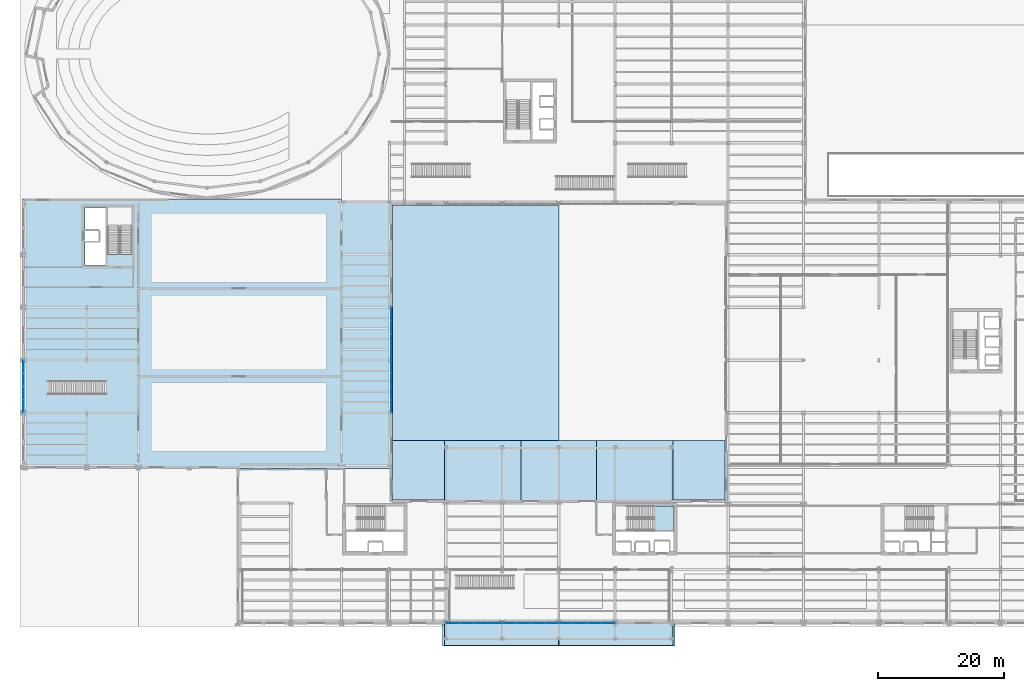
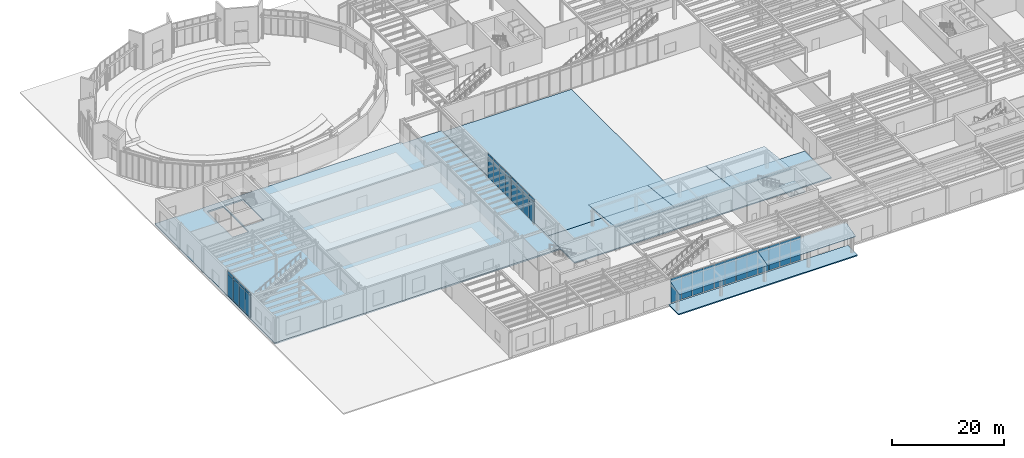
# One storey, part 62 of 94: 48 plates, 10 slabs, 13 elements without a shape of their own.
"""IFC4 building model written with IfcOpenShell, lengths in metres."""

from ifc_helpers import new_model, si_unit, direction, frame, origin, origin_2d, place, context, subcontext, project, spatial, polyline, rectangle, outline, extrude, material, layer, layer_set, type_object, element, aggregate, save


model = new_model("IFC4")

# Units and contexts
model_context = context("Model", 3, precision=1e-05, world=origin(), true_north=direction((0.0, 1.0)))
body_context = subcontext(model_context, "Body", "Model", "MODEL_VIEW")
ifc_project = project(units=[si_unit("LENGTHUNIT", "METRE"), si_unit("AREAUNIT", "SQUARE_METRE"), si_unit("VOLUMEUNIT", "CUBIC_METRE"), si_unit("PLANEANGLEUNIT", "RADIAN"), si_unit("MASSUNIT", "GRAM", prefix="KILO")], contexts=[model_context])

# Site, building, storey
site_placement = place(None, origin())
site = spatial("IfcSite", under=ifc_project, at=site_placement, CompositionType="ELEMENT")
building_placement = place(site_placement, origin())
building = spatial("IfcBuilding", under=site, at=building_placement, Name="Sollismere Congress Hotel", CompositionType="ELEMENT")
storey_placement = place(building_placement, origin())
storey = spatial("IfcBuildingStorey", under=building, at=storey_placement, Name="L00", CompositionType="ELEMENT", Elevation=0.0)

# Curtain wall, plates
ifc_material_1 = material(Name="Anodized Bronze Curtain Wall & Low-E Triple Glazing", Category="glass")
ifc_layer_1 = layer(ifc_material_1, 0.199951171875, Name="Anodized Bronze Curtain Wall & Low-E Triple Glazing")
ifc_layer_set_1 = layer_set([ifc_layer_1], Name="Anodized Bronze Curtain Wall & Low-E Triple Glazing")
curtain_wall_type = type_object("IfcCurtainWallType", Name="CW-GLZ36", PredefinedType="USERDEFINED", material=ifc_layer_set_1)
curtain_wall_1_placement = place(storey_placement, origin())
curtain_wall_1 = element("IfcCurtainWall", 1, at=curtain_wall_1_placement, inside=storey, type_object=curtain_wall_type, Name="Unitised curtain wall CW-L00-121", ObjectType="UNITISED CURTAIN WALL", PredefinedType="USERDEFINED")
ifc_material_2 = material(Name="Blue-Tinted Solar-Control Low-E Vision Glass", Category="glass")
ifc_layer_2 = layer(ifc_material_2, 0.035888671875, Name="Blue-Tinted Solar-Control Low-E Vision Glass")
ifc_layer_set_2 = layer_set([ifc_layer_2], Name="Blue-Tinted Solar-Control Low-E Vision Glass")
plate_type_1 = type_object("IfcPlateType", Name="PL-CWGLZ", PredefinedType="CURTAIN_PANEL", material=ifc_layer_set_2)
plate_1_placement = place(storey_placement, frame((-0.31005859375, 34.276611328125, 0.052978515625), z_axis=(0.0, 0.0, 1.0), x_axis=(0.0, 1.0, 0.0)))
plate_1 = element("IfcPlate", 2, at=plate_1_placement, type_object=plate_type_1, Name="CWL-CW-L00-121-VP01", PredefinedType="CURTAIN_PANEL", context=body_context, shape_type="SweptSolid", body=[
    extrude(rectangle(XDim=2.006103515625, YDim=0.035888671875, at=origin_2d()), origin(), (0.0, 0.0, 1.0), 4.60888671875),
])
plate_2_placement = place(storey_placement, frame((-0.31005859375, 36.33349609375, 0.052978515625), z_axis=(0.0, 0.0, 1.0), x_axis=(0.0, 1.0, 0.0)))
plate_2 = element("IfcPlate", 3, at=plate_2_placement, type_object=plate_type_1, Name="CWL-CW-L00-121-VP02", PredefinedType="CURTAIN_PANEL", context=body_context, shape_type="SweptSolid", body=[
    extrude(rectangle(XDim=2.006103515625, YDim=0.035888671875, at=origin_2d()), origin(), (0.0, 0.0, 1.0), 4.60888671875),
])

curtain_wall_2_placement = place(storey_placement, origin())
curtain_wall_2 = element("IfcCurtainWall", 4, at=curtain_wall_2_placement, inside=storey, type_object=curtain_wall_type, Name="Unitised curtain wall CW-L00-122", ObjectType="UNITISED CURTAIN WALL", PredefinedType="USERDEFINED")
plate_3_placement = place(storey_placement, frame((-0.31005859375, 38.466552734375, 0.052978515625), z_axis=(0.0, 0.0, 1.0), x_axis=(0.0, 1.0, 0.0)))
plate_3 = element("IfcPlate", 5, at=plate_3_placement, type_object=plate_type_1, Name="CWL-CW-L00-122-VP01", PredefinedType="CURTAIN_PANEL", context=body_context, shape_type="SweptSolid", body=[
    extrude(rectangle(XDim=2.006103515625, YDim=0.035888671875, at=origin_2d()), origin(), (0.0, 0.0, 1.0), 4.60888671875),
])
plate_4_placement = place(storey_placement, frame((-0.31005859375, 40.5234375, 0.052978515625), z_axis=(0.0, 0.0, 1.0), x_axis=(0.0, 1.0, 0.0)))
plate_4 = element("IfcPlate", 6, at=plate_4_placement, type_object=plate_type_1, Name="CWL-CW-L00-122-VP02", PredefinedType="CURTAIN_PANEL", context=body_context, shape_type="SweptSolid", body=[
    extrude(rectangle(XDim=2.006103515625, YDim=0.035888671875, at=origin_2d()), origin(), (0.0, 0.0, 1.0), 4.60888671875),
])

curtain_wall_3_placement = place(storey_placement, origin())
curtain_wall_3 = element("IfcCurtainWall", 7, at=curtain_wall_3_placement, inside=storey, type_object=curtain_wall_type, Name="Unitised curtain wall CW-L00-123", ObjectType="UNITISED CURTAIN WALL", PredefinedType="USERDEFINED")
plate_5_placement = place(storey_placement, frame((58.31005859375, 34.276611328125, 0.052978515625), z_axis=(0.0, 0.0, 1.0), x_axis=(0.0, 1.0, 0.0)))
plate_5 = element("IfcPlate", 8, at=plate_5_placement, type_object=plate_type_1, Name="CWL-CW-L00-123-VP01", PredefinedType="CURTAIN_PANEL", context=body_context, shape_type="SweptSolid", body=[
    extrude(rectangle(XDim=2.006103515625, YDim=0.035888671875, at=origin_2d()), origin(), (0.0, 0.0, 1.0), 4.60888671875),
])
plate_6_placement = place(storey_placement, frame((58.31005859375, 36.33349609375, 0.052978515625), z_axis=(0.0, 0.0, 1.0), x_axis=(0.0, 1.0, 0.0)))
plate_6 = element("IfcPlate", 9, at=plate_6_placement, type_object=plate_type_1, Name="CWL-CW-L00-123-VP02", PredefinedType="CURTAIN_PANEL", context=body_context, shape_type="SweptSolid", body=[
    extrude(rectangle(XDim=2.006103515625, YDim=0.035888671875, at=origin_2d()), origin(), (0.0, 0.0, 1.0), 4.60888671875),
])

curtain_wall_4_placement = place(storey_placement, origin())
curtain_wall_4 = element("IfcCurtainWall", 10, at=curtain_wall_4_placement, inside=storey, type_object=curtain_wall_type, Name="Unitised curtain wall CW-L00-124", ObjectType="UNITISED CURTAIN WALL", PredefinedType="USERDEFINED")
plate_7_placement = place(storey_placement, frame((58.31005859375, 38.466552734375, 0.052978515625), z_axis=(0.0, 0.0, 1.0), x_axis=(0.0, 1.0, 0.0)))
plate_7 = element("IfcPlate", 11, at=plate_7_placement, type_object=plate_type_1, Name="CWL-CW-L00-124-VP01", PredefinedType="CURTAIN_PANEL", context=body_context, shape_type="SweptSolid", body=[
    extrude(rectangle(XDim=2.006103515625, YDim=0.035888671875, at=origin_2d()), origin(), (0.0, 0.0, 1.0), 4.60888671875),
])
plate_8_placement = place(storey_placement, frame((58.31005859375, 40.5234375, 0.052978515625), z_axis=(0.0, 0.0, 1.0), x_axis=(0.0, 1.0, 0.0)))
plate_8 = element("IfcPlate", 12, at=plate_8_placement, type_object=plate_type_1, Name="CWL-CW-L00-124-VP02", PredefinedType="CURTAIN_PANEL", context=body_context, shape_type="SweptSolid", body=[
    extrude(rectangle(XDim=2.006103515625, YDim=0.035888671875, at=origin_2d()), origin(), (0.0, 0.0, 1.0), 4.60888671875),
])

curtain_wall_5_placement = place(storey_placement, origin())
curtain_wall_5 = element("IfcCurtainWall", 13, at=curtain_wall_5_placement, inside=storey, type_object=curtain_wall_type, Name="Unitised curtain wall CW-L00-125", ObjectType="UNITISED CURTAIN WALL", PredefinedType="USERDEFINED")
plate_9_placement = place(storey_placement, frame((58.31005859375, 42.676513671875, 0.052978515625), z_axis=(0.0, 0.0, 1.0), x_axis=(0.0, 1.0, 0.0)))
plate_9 = element("IfcPlate", 14, at=plate_9_placement, type_object=plate_type_1, Name="CWL-CW-L00-125-VP01", PredefinedType="CURTAIN_PANEL", context=body_context, shape_type="SweptSolid", body=[
    extrude(rectangle(XDim=2.006103515625, YDim=0.035888671875, at=origin_2d()), origin(), (0.0, 0.0, 1.0), 4.60888671875),
])
plate_10_placement = place(storey_placement, frame((58.31005859375, 44.7333984375, 0.052978515625), z_axis=(0.0, 0.0, 1.0), x_axis=(0.0, 1.0, 0.0)))
plate_10 = element("IfcPlate", 15, at=plate_10_placement, type_object=plate_type_1, Name="CWL-CW-L00-125-VP02", PredefinedType="CURTAIN_PANEL", context=body_context, shape_type="SweptSolid", body=[
    extrude(rectangle(XDim=2.006103515625, YDim=0.035888671875, at=origin_2d()), origin(), (0.0, 0.0, 1.0), 4.60888671875),
])

curtain_wall_6_placement = place(storey_placement, origin())
curtain_wall_6 = element("IfcCurtainWall", 16, at=curtain_wall_6_placement, inside=storey, type_object=curtain_wall_type, Name="Unitised curtain wall CW-L00-126", ObjectType="UNITISED CURTAIN WALL", PredefinedType="USERDEFINED")
plate_11_placement = place(storey_placement, frame((58.31005859375, 46.866455078125, 0.052978515625), z_axis=(0.0, 0.0, 1.0), x_axis=(0.0, 1.0, 0.0)))
plate_11 = element("IfcPlate", 17, at=plate_11_placement, type_object=plate_type_1, Name="CWL-CW-L00-126-VP01", PredefinedType="CURTAIN_PANEL", context=body_context, shape_type="SweptSolid", body=[
    extrude(rectangle(XDim=2.006103515625, YDim=0.035888671875, at=origin_2d()), origin(), (0.0, 0.0, 1.0), 4.60888671875),
])
plate_12_placement = place(storey_placement, frame((58.31005859375, 48.923583984375, 0.052978515625), z_axis=(0.0, 0.0, 1.0), x_axis=(0.0, 1.0, 0.0)))
plate_12 = element("IfcPlate", 18, at=plate_12_placement, type_object=plate_type_1, Name="CWL-CW-L00-126-VP02", PredefinedType="CURTAIN_PANEL", context=body_context, shape_type="SweptSolid", body=[
    extrude(rectangle(XDim=2.006103515625, YDim=0.035888671875, at=origin_2d()), origin(), (0.0, 0.0, 1.0), 4.60888671875),
])

curtain_wall_7_placement = place(storey_placement, origin())
curtain_wall_7 = element("IfcCurtainWall", 19, at=curtain_wall_7_placement, inside=storey, type_object=curtain_wall_type, Name="Unitised curtain wall CW-L00-147", ObjectType="UNITISED CURTAIN WALL", PredefinedType="USERDEFINED")
plate_13_placement = place(storey_placement, frame((68.12646484375, -0.31005859375, 0.052978515625), z_axis=(0.0, 0.0, 1.0), x_axis=(1.0, 0.0, 0.0)))
plate_13 = element("IfcPlate", 20, at=plate_13_placement, type_object=plate_type_1, Name="CWL-CW-L00-147-VP01", PredefinedType="CURTAIN_PANEL", context=body_context, shape_type="SweptSolid", body=[
    extrude(rectangle(XDim=2.166015625, YDim=0.035888671875, at=origin_2d()), origin(), (0.0, 0.0, 1.0), 4.60888671875),
])
plate_14_placement = place(storey_placement, frame((70.343505859375, -0.31005859375, 0.052978515625), z_axis=(0.0, 0.0, 1.0), x_axis=(1.0, 0.0, 0.0)))
plate_14 = element("IfcPlate", 21, at=plate_14_placement, type_object=plate_type_1, Name="CWL-CW-L00-147-VP02", PredefinedType="CURTAIN_PANEL", context=body_context, shape_type="SweptSolid", body=[
    extrude(rectangle(XDim=2.166015625, YDim=0.035888671875, at=origin_2d()), origin(), (0.0, 0.0, 1.0), 4.60888671875),
])

curtain_wall_8_placement = place(storey_placement, origin())
curtain_wall_8 = element("IfcCurtainWall", 22, at=curtain_wall_8_placement, inside=storey, type_object=curtain_wall_type, Name="Unitised curtain wall CW-L00-148", ObjectType="UNITISED CURTAIN WALL", PredefinedType="USERDEFINED")
plate_15_placement = place(storey_placement, frame((72.636474609375, -0.31005859375, 0.052978515625), z_axis=(0.0, 0.0, 1.0), x_axis=(1.0, 0.0, 0.0)))
plate_15 = element("IfcPlate", 23, at=plate_15_placement, type_object=plate_type_1, Name="CWL-CW-L00-148-VP01", PredefinedType="CURTAIN_PANEL", context=body_context, shape_type="SweptSolid", body=[
    extrude(rectangle(XDim=2.166015625, YDim=0.035888671875, at=origin_2d()), origin(), (0.0, 0.0, 1.0), 4.60888671875),
])
plate_16_placement = place(storey_placement, frame((74.853515625, -0.31005859375, 0.052978515625), z_axis=(0.0, 0.0, 1.0), x_axis=(1.0, 0.0, 0.0)))
plate_16 = element("IfcPlate", 24, at=plate_16_placement, type_object=plate_type_1, Name="CWL-CW-L00-148-VP02", PredefinedType="CURTAIN_PANEL", context=body_context, shape_type="SweptSolid", body=[
    extrude(rectangle(XDim=2.166015625, YDim=0.035888671875, at=origin_2d()), origin(), (0.0, 0.0, 1.0), 4.60888671875),
])

curtain_wall_9_placement = place(storey_placement, origin())
curtain_wall_9 = element("IfcCurtainWall", 25, at=curtain_wall_9_placement, inside=storey, type_object=curtain_wall_type, Name="Unitised curtain wall CW-L00-149", ObjectType="UNITISED CURTAIN WALL", PredefinedType="USERDEFINED")
plate_17_placement = place(storey_placement, frame((77.14404296875, -0.31005859375, 0.052978515625), z_axis=(0.0, 0.0, 1.0), x_axis=(1.0, 0.0, 0.0)))
plate_17 = element("IfcPlate", 26, at=plate_17_placement, type_object=plate_type_1, Name="CWL-CW-L00-149-VP01", PredefinedType="CURTAIN_PANEL", context=body_context, shape_type="SweptSolid", body=[
    extrude(rectangle(XDim=2.160888671875, YDim=0.035888671875, at=origin_2d()), origin(), (0.0, 0.0, 1.0), 4.60888671875),
])
plate_18_placement = place(storey_placement, frame((79.35595703125, -0.31005859375, 0.052978515625), z_axis=(0.0, 0.0, 1.0), x_axis=(1.0, 0.0, 0.0)))
plate_18 = element("IfcPlate", 27, at=plate_18_placement, type_object=plate_type_1, Name="CWL-CW-L00-149-VP02", PredefinedType="CURTAIN_PANEL", context=body_context, shape_type="SweptSolid", body=[
    extrude(rectangle(XDim=2.160888671875, YDim=0.035888671875, at=origin_2d()), origin(), (0.0, 0.0, 1.0), 4.60888671875),
])

curtain_wall_10_placement = place(storey_placement, origin())
curtain_wall_10 = element("IfcCurtainWall", 28, at=curtain_wall_10_placement, inside=storey, type_object=curtain_wall_type, Name="Unitised curtain wall CW-L00-150", ObjectType="UNITISED CURTAIN WALL", PredefinedType="USERDEFINED")
plate_19_placement = place(storey_placement, frame((81.64404296875, -0.31005859375, 0.052978515625), z_axis=(0.0, 0.0, 1.0), x_axis=(1.0, 0.0, 0.0)))
plate_19 = element("IfcPlate", 29, at=plate_19_placement, type_object=plate_type_1, Name="CWL-CW-L00-150-VP01", PredefinedType="CURTAIN_PANEL", context=body_context, shape_type="SweptSolid", body=[
    extrude(rectangle(XDim=2.160888671875, YDim=0.035888671875, at=origin_2d()), origin(), (0.0, 0.0, 1.0), 4.60888671875),
])
plate_20_placement = place(storey_placement, frame((83.85595703125, -0.31005859375, 0.052978515625), z_axis=(0.0, 0.0, 1.0), x_axis=(1.0, 0.0, 0.0)))
plate_20 = element("IfcPlate", 30, at=plate_20_placement, type_object=plate_type_1, Name="CWL-CW-L00-150-VP02", PredefinedType="CURTAIN_PANEL", context=body_context, shape_type="SweptSolid", body=[
    extrude(rectangle(XDim=2.160888671875, YDim=0.035888671875, at=origin_2d()), origin(), (0.0, 0.0, 1.0), 4.60888671875),
])

curtain_wall_11_placement = place(storey_placement, origin())
curtain_wall_11 = element("IfcCurtainWall", 31, at=curtain_wall_11_placement, inside=storey, type_object=curtain_wall_type, Name="Unitised curtain wall CW-L00-151", ObjectType="UNITISED CURTAIN WALL", PredefinedType="USERDEFINED")
plate_21_placement = place(storey_placement, frame((86.146484375, -0.31005859375, 0.052978515625), z_axis=(0.0, 0.0, 1.0), x_axis=(1.0, 0.0, 0.0)))
plate_21 = element("IfcPlate", 32, at=plate_21_placement, type_object=plate_type_1, Name="CWL-CW-L00-151-VP01", PredefinedType="CURTAIN_PANEL", context=body_context, shape_type="SweptSolid", body=[
    extrude(rectangle(XDim=2.166015625, YDim=0.035888671875, at=origin_2d()), origin(), (0.0, 0.0, 1.0), 4.60888671875),
])
plate_22_placement = place(storey_placement, frame((88.363525390625, -0.31005859375, 0.052978515625), z_axis=(0.0, 0.0, 1.0), x_axis=(1.0, 0.0, 0.0)))
plate_22 = element("IfcPlate", 33, at=plate_22_placement, type_object=plate_type_1, Name="CWL-CW-L00-151-VP02", PredefinedType="CURTAIN_PANEL", context=body_context, shape_type="SweptSolid", body=[
    extrude(rectangle(XDim=2.166015625, YDim=0.035888671875, at=origin_2d()), origin(), (0.0, 0.0, 1.0), 4.60888671875),
])

curtain_wall_12_placement = place(storey_placement, origin())
curtain_wall_12 = element("IfcCurtainWall", 34, at=curtain_wall_12_placement, inside=storey, type_object=curtain_wall_type, Name="Unitised curtain wall CW-L00-152", ObjectType="UNITISED CURTAIN WALL", PredefinedType="USERDEFINED")
plate_23_placement = place(storey_placement, frame((90.656494140625, -0.31005859375, 0.052978515625), z_axis=(0.0, 0.0, 1.0), x_axis=(1.0, 0.0, 0.0)))
plate_23 = element("IfcPlate", 35, at=plate_23_placement, type_object=plate_type_1, Name="CWL-CW-L00-152-VP01", PredefinedType="CURTAIN_PANEL", context=body_context, shape_type="SweptSolid", body=[
    extrude(rectangle(XDim=2.166015625, YDim=0.035888671875, at=origin_2d()), origin(), (0.0, 0.0, 1.0), 4.60888671875),
])
plate_24_placement = place(storey_placement, frame((92.87353515625, -0.31005859375, 0.052978515625), z_axis=(0.0, 0.0, 1.0), x_axis=(1.0, 0.0, 0.0)))
plate_24 = element("IfcPlate", 36, at=plate_24_placement, type_object=plate_type_1, Name="CWL-CW-L00-152-VP02", PredefinedType="CURTAIN_PANEL", context=body_context, shape_type="SweptSolid", body=[
    extrude(rectangle(XDim=2.166015625, YDim=0.035888671875, at=origin_2d()), origin(), (0.0, 0.0, 1.0), 4.60888671875),
])

# Plate
ifc_material_3 = material(Name="Anodized Bronze Insulated Spandrel Panel")
ifc_layer_3 = layer(ifc_material_3, 0.044921875, Name="Anodized Bronze Insulated Spandrel Panel")
ifc_layer_set_3 = layer_set([ifc_layer_3], Name="Anodized Bronze Insulated Spandrel Panel")
plate_type_2 = type_object("IfcPlateType", Name="PL-CWSPN", PredefinedType="SHEET", material=ifc_layer_set_3)
plate_25_placement = place(storey_placement, frame((-0.31005859375, 34.276611328125, 4.77783203125), z_axis=(0.0, 0.0, 1.0), x_axis=(0.0, 1.0, 0.0)))
plate_25 = element("IfcPlate", 37, at=plate_25_placement, type_object=plate_type_2, Name="CWL-CW-L00-121-SP01", PredefinedType="SHEET", context=body_context, shape_type="SweptSolid", body=[
    extrude(rectangle(XDim=2.006103515625, YDim=0.044921875, at=origin_2d()), origin(), (0.0, 0.0, 1.0), 0.569091796875),
])

plate_26_placement = place(storey_placement, frame((-0.31005859375, 36.33349609375, 4.77783203125), z_axis=(0.0, 0.0, 1.0), x_axis=(0.0, 1.0, 0.0)))
plate_26 = element("IfcPlate", 38, at=plate_26_placement, type_object=plate_type_2, Name="CWL-CW-L00-121-SP02", PredefinedType="SHEET", context=body_context, shape_type="SweptSolid", body=[
    extrude(rectangle(XDim=2.006103515625, YDim=0.044921875, at=origin_2d()), origin(), (0.0, 0.0, 1.0), 0.569091796875),
])

aggregate(curtain_wall_1, [plate_1, plate_25, plate_2, plate_26])

plate_27_placement = place(storey_placement, frame((-0.31005859375, 38.466552734375, 4.77783203125), z_axis=(0.0, 0.0, 1.0), x_axis=(0.0, 1.0, 0.0)))
plate_27 = element("IfcPlate", 39, at=plate_27_placement, type_object=plate_type_2, Name="CWL-CW-L00-122-SP01", PredefinedType="SHEET", context=body_context, shape_type="SweptSolid", body=[
    extrude(rectangle(XDim=2.006103515625, YDim=0.044921875, at=origin_2d()), origin(), (0.0, 0.0, 1.0), 0.569091796875),
])

plate_28_placement = place(storey_placement, frame((-0.31005859375, 40.5234375, 4.77783203125), z_axis=(0.0, 0.0, 1.0), x_axis=(0.0, 1.0, 0.0)))
plate_28 = element("IfcPlate", 40, at=plate_28_placement, type_object=plate_type_2, Name="CWL-CW-L00-122-SP02", PredefinedType="SHEET", context=body_context, shape_type="SweptSolid", body=[
    extrude(rectangle(XDim=2.006103515625, YDim=0.044921875, at=origin_2d()), origin(), (0.0, 0.0, 1.0), 0.569091796875),
])

aggregate(curtain_wall_2, [plate_3, plate_27, plate_4, plate_28])

plate_29_placement = place(storey_placement, frame((58.31005859375, 34.276611328125, 4.77783203125), z_axis=(0.0, 0.0, 1.0), x_axis=(0.0, 1.0, 0.0)))
plate_29 = element("IfcPlate", 41, at=plate_29_placement, type_object=plate_type_2, Name="CWL-CW-L00-123-SP01", PredefinedType="SHEET", context=body_context, shape_type="SweptSolid", body=[
    extrude(rectangle(XDim=2.006103515625, YDim=0.044921875, at=origin_2d()), origin(), (0.0, 0.0, 1.0), 0.569091796875),
])

plate_30_placement = place(storey_placement, frame((58.31005859375, 36.33349609375, 4.77783203125), z_axis=(0.0, 0.0, 1.0), x_axis=(0.0, 1.0, 0.0)))
plate_30 = element("IfcPlate", 42, at=plate_30_placement, type_object=plate_type_2, Name="CWL-CW-L00-123-SP02", PredefinedType="SHEET", context=body_context, shape_type="SweptSolid", body=[
    extrude(rectangle(XDim=2.006103515625, YDim=0.044921875, at=origin_2d()), origin(), (0.0, 0.0, 1.0), 0.569091796875),
])

aggregate(curtain_wall_3, [plate_5, plate_29, plate_6, plate_30])

plate_31_placement = place(storey_placement, frame((58.31005859375, 38.466552734375, 4.77783203125), z_axis=(0.0, 0.0, 1.0), x_axis=(0.0, 1.0, 0.0)))
plate_31 = element("IfcPlate", 43, at=plate_31_placement, type_object=plate_type_2, Name="CWL-CW-L00-124-SP01", PredefinedType="SHEET", context=body_context, shape_type="SweptSolid", body=[
    extrude(rectangle(XDim=2.006103515625, YDim=0.044921875, at=origin_2d()), origin(), (0.0, 0.0, 1.0), 0.569091796875),
])

plate_32_placement = place(storey_placement, frame((58.31005859375, 40.5234375, 4.77783203125), z_axis=(0.0, 0.0, 1.0), x_axis=(0.0, 1.0, 0.0)))
plate_32 = element("IfcPlate", 44, at=plate_32_placement, type_object=plate_type_2, Name="CWL-CW-L00-124-SP02", PredefinedType="SHEET", context=body_context, shape_type="SweptSolid", body=[
    extrude(rectangle(XDim=2.006103515625, YDim=0.044921875, at=origin_2d()), origin(), (0.0, 0.0, 1.0), 0.569091796875),
])

aggregate(curtain_wall_4, [plate_7, plate_31, plate_8, plate_32])

plate_33_placement = place(storey_placement, frame((58.31005859375, 42.676513671875, 4.77783203125), z_axis=(0.0, 0.0, 1.0), x_axis=(0.0, 1.0, 0.0)))
plate_33 = element("IfcPlate", 45, at=plate_33_placement, type_object=plate_type_2, Name="CWL-CW-L00-125-SP01", PredefinedType="SHEET", context=body_context, shape_type="SweptSolid", body=[
    extrude(rectangle(XDim=2.006103515625, YDim=0.044921875, at=origin_2d()), origin(), (0.0, 0.0, 1.0), 0.569091796875),
])

plate_34_placement = place(storey_placement, frame((58.31005859375, 44.7333984375, 4.77783203125), z_axis=(0.0, 0.0, 1.0), x_axis=(0.0, 1.0, 0.0)))
plate_34 = element("IfcPlate", 46, at=plate_34_placement, type_object=plate_type_2, Name="CWL-CW-L00-125-SP02", PredefinedType="SHEET", context=body_context, shape_type="SweptSolid", body=[
    extrude(rectangle(XDim=2.006103515625, YDim=0.044921875, at=origin_2d()), origin(), (0.0, 0.0, 1.0), 0.569091796875),
])

aggregate(curtain_wall_5, [plate_9, plate_33, plate_10, plate_34])

plate_35_placement = place(storey_placement, frame((58.31005859375, 46.866455078125, 4.77783203125), z_axis=(0.0, 0.0, 1.0), x_axis=(0.0, 1.0, 0.0)))
plate_35 = element("IfcPlate", 47, at=plate_35_placement, type_object=plate_type_2, Name="CWL-CW-L00-126-SP01", PredefinedType="SHEET", context=body_context, shape_type="SweptSolid", body=[
    extrude(rectangle(XDim=2.006103515625, YDim=0.044921875, at=origin_2d()), origin(), (0.0, 0.0, 1.0), 0.569091796875),
])

plate_36_placement = place(storey_placement, frame((58.31005859375, 48.923583984375, 4.77783203125), z_axis=(0.0, 0.0, 1.0), x_axis=(0.0, 1.0, 0.0)))
plate_36 = element("IfcPlate", 48, at=plate_36_placement, type_object=plate_type_2, Name="CWL-CW-L00-126-SP02", PredefinedType="SHEET", context=body_context, shape_type="SweptSolid", body=[
    extrude(rectangle(XDim=2.006103515625, YDim=0.044921875, at=origin_2d()), origin(), (0.0, 0.0, 1.0), 0.569091796875),
])

aggregate(curtain_wall_6, [plate_11, plate_35, plate_12, plate_36])

plate_37_placement = place(storey_placement, frame((68.12646484375, -0.31005859375, 4.77783203125), z_axis=(0.0, 0.0, 1.0), x_axis=(1.0, 0.0, 0.0)))
plate_37 = element("IfcPlate", 49, at=plate_37_placement, type_object=plate_type_2, Name="CWL-CW-L00-147-SP01", PredefinedType="SHEET", context=body_context, shape_type="SweptSolid", body=[
    extrude(rectangle(XDim=2.166015625, YDim=0.044921875, at=origin_2d()), origin(), (0.0, 0.0, 1.0), 0.569091796875),
])

plate_38_placement = place(storey_placement, frame((70.343505859375, -0.31005859375, 4.77783203125), z_axis=(0.0, 0.0, 1.0), x_axis=(1.0, 0.0, 0.0)))
plate_38 = element("IfcPlate", 50, at=plate_38_placement, type_object=plate_type_2, Name="CWL-CW-L00-147-SP02", PredefinedType="SHEET", context=body_context, shape_type="SweptSolid", body=[
    extrude(rectangle(XDim=2.166015625, YDim=0.044921875, at=origin_2d()), origin(), (0.0, 0.0, 1.0), 0.569091796875),
])

aggregate(curtain_wall_7, [plate_13, plate_37, plate_14, plate_38])

plate_39_placement = place(storey_placement, frame((72.636474609375, -0.31005859375, 4.77783203125), z_axis=(0.0, 0.0, 1.0), x_axis=(1.0, 0.0, 0.0)))
plate_39 = element("IfcPlate", 51, at=plate_39_placement, type_object=plate_type_2, Name="CWL-CW-L00-148-SP01", PredefinedType="SHEET", context=body_context, shape_type="SweptSolid", body=[
    extrude(rectangle(XDim=2.166015625, YDim=0.044921875, at=origin_2d()), origin(), (0.0, 0.0, 1.0), 0.569091796875),
])

plate_40_placement = place(storey_placement, frame((74.853515625, -0.31005859375, 4.77783203125), z_axis=(0.0, 0.0, 1.0), x_axis=(1.0, 0.0, 0.0)))
plate_40 = element("IfcPlate", 52, at=plate_40_placement, type_object=plate_type_2, Name="CWL-CW-L00-148-SP02", PredefinedType="SHEET", context=body_context, shape_type="SweptSolid", body=[
    extrude(rectangle(XDim=2.166015625, YDim=0.044921875, at=origin_2d()), origin(), (0.0, 0.0, 1.0), 0.569091796875),
])

aggregate(curtain_wall_8, [plate_15, plate_39, plate_16, plate_40])

plate_41_placement = place(storey_placement, frame((77.14404296875, -0.31005859375, 4.77783203125), z_axis=(0.0, 0.0, 1.0), x_axis=(1.0, 0.0, 0.0)))
plate_41 = element("IfcPlate", 53, at=plate_41_placement, type_object=plate_type_2, Name="CWL-CW-L00-149-SP01", PredefinedType="SHEET", context=body_context, shape_type="SweptSolid", body=[
    extrude(rectangle(XDim=2.160888671875, YDim=0.044921875, at=origin_2d()), origin(), (0.0, 0.0, 1.0), 0.569091796875),
])

plate_42_placement = place(storey_placement, frame((79.35595703125, -0.31005859375, 4.77783203125), z_axis=(0.0, 0.0, 1.0), x_axis=(1.0, 0.0, 0.0)))
plate_42 = element("IfcPlate", 54, at=plate_42_placement, type_object=plate_type_2, Name="CWL-CW-L00-149-SP02", PredefinedType="SHEET", context=body_context, shape_type="SweptSolid", body=[
    extrude(rectangle(XDim=2.160888671875, YDim=0.044921875, at=origin_2d()), origin(), (0.0, 0.0, 1.0), 0.569091796875),
])

aggregate(curtain_wall_9, [plate_17, plate_41, plate_18, plate_42])

plate_43_placement = place(storey_placement, frame((81.64404296875, -0.31005859375, 4.77783203125), z_axis=(0.0, 0.0, 1.0), x_axis=(1.0, 0.0, 0.0)))
plate_43 = element("IfcPlate", 55, at=plate_43_placement, type_object=plate_type_2, Name="CWL-CW-L00-150-SP01", PredefinedType="SHEET", context=body_context, shape_type="SweptSolid", body=[
    extrude(rectangle(XDim=2.160888671875, YDim=0.044921875, at=origin_2d()), origin(), (0.0, 0.0, 1.0), 0.569091796875),
])

plate_44_placement = place(storey_placement, frame((83.85595703125, -0.31005859375, 4.77783203125), z_axis=(0.0, 0.0, 1.0), x_axis=(1.0, 0.0, 0.0)))
plate_44 = element("IfcPlate", 56, at=plate_44_placement, type_object=plate_type_2, Name="CWL-CW-L00-150-SP02", PredefinedType="SHEET", context=body_context, shape_type="SweptSolid", body=[
    extrude(rectangle(XDim=2.160888671875, YDim=0.044921875, at=origin_2d()), origin(), (0.0, 0.0, 1.0), 0.569091796875),
])

aggregate(curtain_wall_10, [plate_19, plate_43, plate_20, plate_44])

plate_45_placement = place(storey_placement, frame((86.146484375, -0.31005859375, 4.77783203125), z_axis=(0.0, 0.0, 1.0), x_axis=(1.0, 0.0, 0.0)))
plate_45 = element("IfcPlate", 57, at=plate_45_placement, type_object=plate_type_2, Name="CWL-CW-L00-151-SP01", PredefinedType="SHEET", context=body_context, shape_type="SweptSolid", body=[
    extrude(rectangle(XDim=2.166015625, YDim=0.044921875, at=origin_2d()), origin(), (0.0, 0.0, 1.0), 0.569091796875),
])

plate_46_placement = place(storey_placement, frame((88.363525390625, -0.31005859375, 4.77783203125), z_axis=(0.0, 0.0, 1.0), x_axis=(1.0, 0.0, 0.0)))
plate_46 = element("IfcPlate", 58, at=plate_46_placement, type_object=plate_type_2, Name="CWL-CW-L00-151-SP02", PredefinedType="SHEET", context=body_context, shape_type="SweptSolid", body=[
    extrude(rectangle(XDim=2.166015625, YDim=0.044921875, at=origin_2d()), origin(), (0.0, 0.0, 1.0), 0.569091796875),
])

aggregate(curtain_wall_11, [plate_21, plate_45, plate_22, plate_46])

plate_47_placement = place(storey_placement, frame((90.656494140625, -0.31005859375, 4.77783203125), z_axis=(0.0, 0.0, 1.0), x_axis=(1.0, 0.0, 0.0)))
plate_47 = element("IfcPlate", 59, at=plate_47_placement, type_object=plate_type_2, Name="CWL-CW-L00-152-SP01", PredefinedType="SHEET", context=body_context, shape_type="SweptSolid", body=[
    extrude(rectangle(XDim=2.166015625, YDim=0.044921875, at=origin_2d()), origin(), (0.0, 0.0, 1.0), 0.569091796875),
])

plate_48_placement = place(storey_placement, frame((92.87353515625, -0.31005859375, 4.77783203125), z_axis=(0.0, 0.0, 1.0), x_axis=(1.0, 0.0, 0.0)))
plate_48 = element("IfcPlate", 60, at=plate_48_placement, type_object=plate_type_2, Name="CWL-CW-L00-152-SP02", PredefinedType="SHEET", context=body_context, shape_type="SweptSolid", body=[
    extrude(rectangle(XDim=2.166015625, YDim=0.044921875, at=origin_2d()), origin(), (0.0, 0.0, 1.0), 0.569091796875),
])

aggregate(curtain_wall_12, [plate_23, plate_47, plate_24, plate_48])

# Slabs
ifc_material_4 = material(Name="Concrete C40/50", Category="concrete")
ifc_layer_4 = layer(ifc_material_4, 0.239990234375, Name="Concrete C40/50")
ifc_layer_set_4 = layer_set([ifc_layer_4], Name="Concrete C40/50")
slab_type_1 = type_object("IfcSlabType", Name="SL-COL240", PredefinedType="FLOOR", material=ifc_layer_set_4)
slab_1_placement = place(storey_placement, frame((0.0, 0.0, -0.239990234375)))
element("IfcSlab", 61, at=slab_1_placement, inside=storey, type_object=slab_type_1, Name="Slab SL-L00-RV", PredefinedType="FLOOR", context=body_context, shape_type="SweptSolid", body=[
    extrude(outline(polyline([(111.52001953125, 19.280029296875), (111.52001953125, 28.800048828125), (58.47998046875, 28.800048828125), (58.47998046875, 19.280029296875), (111.52001953125, 19.280029296875)])), origin(), (0.0, 0.0, 1.0), 0.239990234375),
])
slab_2_placement = place(storey_placement, frame((0.0, 0.0, -0.239990234375)))
element("IfcSlab", 62, at=slab_2_placement, inside=storey, type_object=slab_type_1, Name="Slab SL-L00-PT", PredefinedType="FLOOR", context=body_context, shape_type="SweptSolid", body=[
    extrude(outline(polyline([(103.5, -4.0), (103.5, -0.47998046875), (66.5, -0.47998046875), (66.5, -4.0), (103.5, -4.0)])), origin(), (0.0, 0.0, 1.0), 0.239990234375),
])
ifc_layer_5 = layer(ifc_material_4, 0.300048828125, Name="Concrete C40/50")
ifc_layer_set_5 = layer_set([ifc_layer_5], Name="Concrete C40/50")
slab_type_2 = type_object("IfcSlabType", Name="SL-FLR300", PredefinedType="FLOOR", material=ifc_layer_set_5)
slab_3_placement = place(storey_placement, frame((0.0, 0.0, -0.300048828125)))
element("IfcSlab", 63, at=slab_3_placement, inside=storey, type_object=slab_type_2, Name="Slab SL-L00-V3", PredefinedType="FLOOR", context=body_context, shape_type="SweptSolid", body=[
    extrude(outline(polyline([(50.389892578125, 67.280029296875), (-0.47998046875, 67.280029296875), (-0.47998046875, 24.320068359375), (33.719970703125, 24.330078125), (58.010009765625, 24.320068359375), (58.47998046875, 24.320068359375), (58.469970703125, 66.320068359375), (58.469970703125, 66.7900390625), (50.389892578125, 66.800048828125), (50.389892578125, 67.280029296875)]), holes=[polyline([(9.5400390625, 56.739990234375), (9.5400390625, 60.554931640625), (9.4599609375, 60.554931640625), (9.4599609375, 62.2451171875), (9.5400390625, 62.2451171875), (9.5400390625, 65.860107421875), (12.830078125, 65.860107421875), (12.830078125, 56.739990234375), (9.5400390625, 56.739990234375)]), polyline([(13.10009765625, 66.0), (17.0, 66.0), (17.0, 58.45068359375), (13.10009765625, 58.45068359375), (13.10009765625, 66.0)])]), origin(), (0.0, 0.0, 1.0), 0.300048828125),
])

# Stair, slab
stair_type = type_object("IfcStairType", Name="STR-DL-540", PredefinedType="HALF_TURN_STAIR", material=ifc_material_4)
stair_placement = place(storey_placement, origin())
stair = element("IfcStair", 64, at=stair_placement, inside=storey, type_object=stair_type, Name="Protected exit stair ST-02-L00", PredefinedType="HALF_TURN_STAIR")
ifc_layer_6 = layer(ifc_material_4, 0.199951171875, Name="Concrete C40/50")
ifc_layer_set_6 = layer_set([ifc_layer_6], Name="Concrete C40/50")
slab_type_3 = type_object("IfcSlabType", Name="SL-LND200", PredefinedType="LANDING", material=ifc_layer_set_6)
slab_4_placement = place(storey_placement, frame((0.0, 0.0, 2.5)))
slab_4 = element("IfcSlab", 65, at=slab_4_placement, type_object=slab_type_3, Name="Exit stair half-landing ST-02-L00-L1", PredefinedType="LANDING", context=body_context, shape_type="SweptSolid", body=[
    extrude(outline(polyline([(100.199951171875, 14.449951171875), (103.39990234375, 14.449951171875), (103.39990234375, 18.35009765625), (100.199951171875, 18.35009765625), (100.199951171875, 14.449951171875)])), origin(), (0.0, 0.0, 1.0), 0.199951171875),
])
aggregate(stair, [slab_4])

# Slabs
ifc_material_5 = material(Name="Precast Concrete C40/50", Category="concrete")
ifc_layer_7 = layer(ifc_material_5, 0.264892578125, Name="Precast Concrete C40/50")
ifc_layer_set_7 = layer_set([ifc_layer_7], Name="Precast Concrete C40/50")
slab_type_4 = type_object("IfcSlabType", Name="SL-PAV150", PredefinedType="USERDEFINED", material=ifc_layer_set_7)
slab_5_placement = place(storey_placement, frame((0.0, 0.0, -0.264892578125)))
element("IfcSlab", 66, at=slab_5_placement, inside=storey, type_object=slab_type_4, Name="Slab SL-L00-PV1W", ObjectType="EXTERIOR PAVING", PredefinedType="USERDEFINED", context=body_context, shape_type="SweptSolid", body=[
    extrude(outline(polyline([(85.0, 66.320068359375), (58.47998046875, 66.320068359375), (58.47998046875, 28.800048828125), (85.0, 28.800048828125), (85.0, 66.320068359375)])), origin(), (0.0, 0.0, 1.0), 0.264892578125),
])
ifc_material_6 = material(Name="Standing-Seam Zinc on Precast Concrete C40/50", Category="concrete")
ifc_layer_8 = layer(ifc_material_6, 0.14990234375, Name="Standing-Seam Zinc on Precast Concrete C40/50")
ifc_layer_set_8 = layer_set([ifc_layer_8], Name="Standing-Seam Zinc on Precast Concrete C40/50")
slab_type_5 = type_object("IfcSlabType", Name="SL-SACAK150", PredefinedType="ROOF", material=ifc_layer_set_8)
slab_6_placement = place(storey_placement, frame((66.800048828125, 19.1044921875, 4.80078125), z_axis=(0.0, 0.104794459454, 0.994493902077), x_axis=(1.0, 0.0, 0.0)))
element("IfcSlab", 67, at=slab_6_placement, inside=storey, type_object=slab_type_5, Name="Courtyard revak colonnade canopy 1", PredefinedType="ROOF", context=body_context, shape_type="SweptSolid", body=[
    extrude(outline(polyline([(0.0, 0.0), (12.199951171875, 0.0), (12.199951171875, 9.733642578125), (0.0, 9.733642578125), (0.0, 0.0)])), origin(), (0.0, 0.0, 1.0), 0.14990234375),
])
slab_7_placement = place(storey_placement, frame((79.02001953125, 19.1044921875, 4.80078125), z_axis=(0.0, 0.104794459454, 0.994493902077), x_axis=(1.0, 0.0, 0.0)))
element("IfcSlab", 68, at=slab_7_placement, inside=storey, type_object=slab_type_5, Name="Courtyard revak colonnade canopy 2", PredefinedType="ROOF", context=body_context, shape_type="SweptSolid", body=[
    extrude(outline(polyline([(0.0, 0.0), (11.97998046875, 0.0), (11.97998046875, 9.733642578125), (0.0, 9.733642578125), (0.0, 0.0)])), origin(), (0.0, 0.0, 1.0), 0.14990234375),
])
slab_8_placement = place(storey_placement, frame((91.02001953125, 19.1044921875, 4.80078125), z_axis=(0.0, 0.104794459454, 0.994493902077), x_axis=(1.0, 0.0, 0.0)))
element("IfcSlab", 69, at=slab_8_placement, inside=storey, type_object=slab_type_5, Name="Courtyard revak colonnade canopy 3", PredefinedType="ROOF", context=body_context, shape_type="SweptSolid", body=[
    extrude(outline(polyline([(0.0, 0.0), (12.179931640625, 0.0), (12.179931640625, 9.733642578125), (0.0, 9.733642578125), (0.0, 0.0)])), origin(), (0.0, 0.0, 1.0), 0.14990234375),
])
slab_9_placement = place(storey_placement, frame((66.800048828125, -3.809326171875, 3.915771484375), z_axis=(0.0, -0.272558427178, 0.96213923305), x_axis=(1.0, 0.0, 0.0)))
element("IfcSlab", 70, at=slab_9_placement, inside=storey, type_object=slab_type_5, Name="Riverfront arrival portico canopy 1", PredefinedType="ROOF", context=body_context, shape_type="SweptSolid", body=[
    extrude(outline(polyline([(0.0, 0.0), (18.179931640625, 0.0), (18.179931640625, 3.6689453125), (0.0, 3.6689453125), (0.0, 0.0)])), origin(), (0.0, 0.0, 1.0), 0.14990234375),
])
slab_10_placement = place(storey_placement, frame((85.0, -3.809326171875, 3.915771484375), z_axis=(0.0, -0.272558427178, 0.96213923305), x_axis=(1.0, 0.0, 0.0)))
element("IfcSlab", 71, at=slab_10_placement, inside=storey, type_object=slab_type_5, Name="Riverfront arrival portico canopy 2", PredefinedType="ROOF", context=body_context, shape_type="SweptSolid", body=[
    extrude(outline(polyline([(0.0, 0.0), (18.199951171875, 0.0), (18.199951171875, 3.6689453125), (0.0, 3.6689453125), (0.0, 0.0)])), origin(), (0.0, 0.0, 1.0), 0.14990234375),
])

save(model, "model.ifc")
